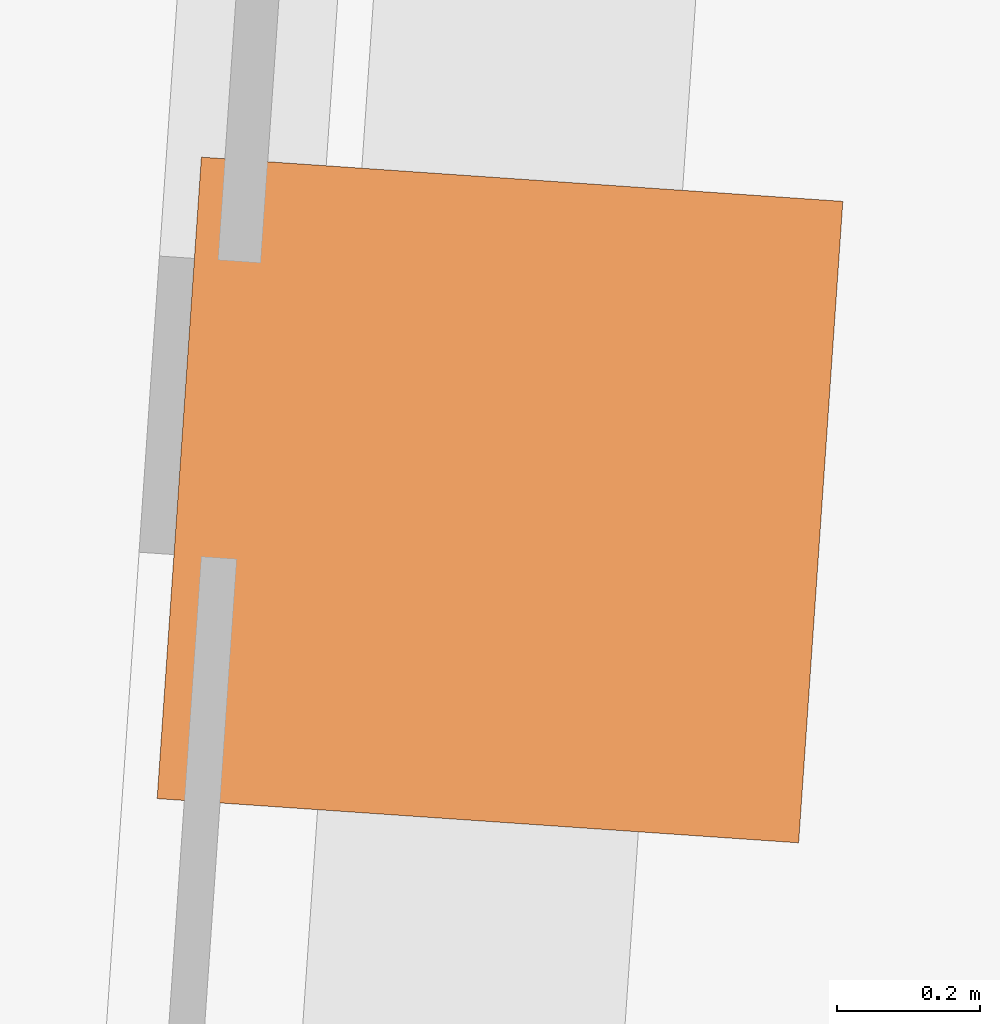
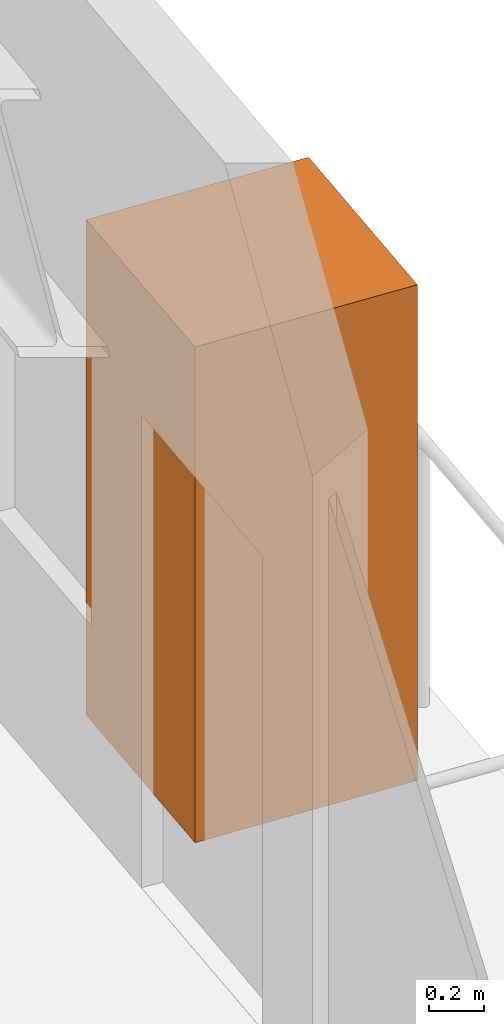
# One storey, part 12 of 12: 1 geographic element.
"""IFC4 building model written with IfcOpenShell, lengths in metres."""

import ifcopenshell
import ifcopenshell.guid

model = None  # the IFC model being written
_history = None  # IfcOwnerHistory: only IFC2X3 demands one
_inside = {}  # id of a spatial element -> (the spatial element, [elements in it])
_under = {}  # id of a project, library or spatial element -> (it, [spatial elements below it])
_declared = {}  # id of a project -> (the project, [libraries it declares])
_typed = {}  # id of a type object -> (the type object, [elements of that type])
_made_of = {}  # id of a material, layer set ... -> (it, [elements and type objects made of it])


def new_model(schema):
    """Start an empty IFC model of exactly this schema.

    Asked for "IFC4X3", IfcOpenShell would pick the latest addendum, in which some entities
    have other attributes; the version numbers below select the first issue.
    IFC2X3 requires an IfcOwnerHistory on every rooted entity: one is made here for all.
    """
    global model, _history
    if schema == "IFC4X3":
        model = ifcopenshell.file(schema_version=(4, 3, 0, 0))
    else:
        model = ifcopenshell.file(schema=schema)
    _inside.clear()
    _under.clear()
    _declared.clear()
    _typed.clear()
    _made_of.clear()
    _history = None
    if model.schema == "IFC2X3":
        org = make("IfcOrganization", Name="unknown")
        user = make(
            "IfcPersonAndOrganization",
            ThePerson=make("IfcPerson", FamilyName="unknown"),
            TheOrganization=org,
        )
        app = make(
            "IfcApplication",
            ApplicationDeveloper=org,
            Version="unknown",
            ApplicationFullName="unknown",
            ApplicationIdentifier="unknown",
        )
        _history = make(
            "IfcOwnerHistory",
            OwningUser=user,
            OwningApplication=app,
            ChangeAction="ADDED",
            CreationDate=0,
        )
    return model


def make(cls, **values):
    """One entity of the class cls with the attributes given. An attribute that is None is left unset."""
    return model.create_entity(
        cls, **{name: value for name, value in values.items() if value is not None}
    )


def rooted(cls, **values):
    """An entity with a GlobalId (a new one), such as an element, a storey or a relation."""
    return make(cls, GlobalId=ifcopenshell.guid.new(), OwnerHistory=_history, **values)


def si_unit(unit_type, name, prefix=None):
    """IfcSIUnit, for example si_unit("LENGTHUNIT", "METRE", prefix="MILLI")."""
    return make("IfcSIUnit", UnitType=unit_type, Prefix=prefix, Name=name)


def assignment(units):
    """IfcUnitAssignment: the units of a project."""
    return None if units is None else make("IfcUnitAssignment", Units=units)


def point(xyz):
    """IfcCartesianPoint."""
    return None if xyz is None else make("IfcCartesianPoint", Coordinates=xyz)


def direction(xyz):
    """IfcDirection."""
    return None if xyz is None else make("IfcDirection", DirectionRatios=xyz)


def frame(location, z_axis=None, x_axis=None):
    """IfcAxis2Placement3D, a coordinate frame: its origin and axes. An axis left out is left unset."""
    return make(
        "IfcAxis2Placement3D",
        Location=point(location),
        Axis=direction(z_axis),
        RefDirection=direction(x_axis),
    )


def frame_2d(location, x_axis=None):
    """IfcAxis2Placement2D, a coordinate frame in the plane: its origin and x axis."""
    return make(
        "IfcAxis2Placement2D", Location=point(location), RefDirection=direction(x_axis)
    )


def origin():
    """The frame at (0, 0, 0) with its axes left unset."""
    return frame((0.0, 0.0, 0.0))


def origin_2d():
    """The frame at (0, 0) in the plane with its x axis left unset."""
    return frame_2d((0.0, 0.0))


def place(relative_to, where):
    """IfcLocalPlacement: puts the frame where relative to a parent placement (None: the world)."""
    return make(
        "IfcLocalPlacement", PlacementRelTo=relative_to, RelativePlacement=where
    )


def context(
    kind, dimensions, precision=None, world=None, true_north=None, identifier=None
):
    """IfcGeometricRepresentationContext, for example the 3D "Model" context."""
    return make(
        "IfcGeometricRepresentationContext",
        ContextIdentifier=identifier,
        ContextType=kind,
        CoordinateSpaceDimension=dimensions,
        Precision=precision,
        WorldCoordinateSystem=world,
        TrueNorth=true_north,
    )


def subcontext(parent, identifier, kind, view, scale=None):
    """IfcGeometricRepresentationSubContext, for example "Body" below "Model"."""
    return make(
        "IfcGeometricRepresentationSubContext",
        ContextIdentifier=identifier,
        ContextType=kind,
        ParentContext=parent,
        TargetScale=scale,
        TargetView=view,
    )


def project(units=None, contexts=None):
    """IfcProject with its units and contexts."""
    return rooted(
        "IfcProject",
        Name="project",
        RepresentationContexts=contexts,
        UnitsInContext=assignment(units),
    )


def spatial(cls, under=None, at=None, **own):
    """A site, building, storey or space (cls), placed at a placement, below another one or the project."""
    s = rooted(cls, ObjectPlacement=at, **own)
    if under is not None:
        _under.setdefault(under.id(), (under, []))[1].append(s)
    return s


def profile(cls, at=None, kind="AREA", **sizes):
    """A parametric profile (cls). Its sizes go by their IFC names, for example OverallWidth=200.0."""
    return make(cls, ProfileType=kind, Position=at, **sizes)


def rectangle(**sizes):
    """IfcRectangleProfileDef."""
    return profile("IfcRectangleProfileDef", **sizes)


def extrude(swept, where, along, depth):
    """IfcExtrudedAreaSolid: the profile swept, set in the frame where, extruded along a direction by depth."""
    return make(
        "IfcExtrudedAreaSolid",
        SweptArea=swept,
        Position=where,
        ExtrudedDirection=direction(along),
        Depth=depth,
    )


def shape(context_of_items, identifier, shape_type, items):
    """IfcShapeRepresentation: the items that make up one representation, for example the "Body"."""
    return make(
        "IfcShapeRepresentation",
        ContextOfItems=context_of_items,
        RepresentationIdentifier=identifier,
        RepresentationType=shape_type,
        Items=items,
    )


def material(Name=None, Category=None):
    """IfcMaterial."""
    return make("IfcMaterial", Name=Name, Category=Category)


def made_of(thing, what):
    """Note that an element or type object is made of a material, layer set ...; save() writes the relation."""
    if what is not None:
        _made_of.setdefault(what.id(), (what, []))[1].append(thing)
    return thing


def type_object(cls, material=None, **own):
    """A type object (cls), such as IfcWallType, which elements share."""
    return made_of(rooted(cls, **own), material)


def element(
    cls,
    number,
    at=None,
    inside=None,
    cuts=None,
    type_object=None,
    material=None,
    context=None,
    identifier="Body",
    shape_type=None,
    held_by="IfcProductDefinitionShape",
    body=None,
    shapes=None,
    **own,
):
    """One element of the class cls, such as IfcWall. Its Tag is "e" and its number.

    at: its placement. inside: the storey or other place that contains it. cuts: it is an
    opening in that element (IfcRelVoidsElement). A single representation is given by context,
    identifier, shape_type and body (its items); several are given by shapes. held_by: the class
    of the entity that holds the representations. save() writes the other relations.
    """
    e = rooted(cls, Tag="e%d" % number, ObjectPlacement=at, **own)
    if body is not None:
        shapes = [shape(context, identifier, shape_type, body)]
    if shapes is not None:
        e.Representation = make(held_by, Representations=shapes)
    if inside is not None:
        _inside.setdefault(inside.id(), (inside, []))[1].append(e)
    if cuts is not None:
        rooted(
            "IfcRelVoidsElement", RelatingBuildingElement=cuts, RelatedOpeningElement=e
        )
    if type_object is not None:
        _typed.setdefault(type_object.id(), (type_object, []))[1].append(e)
    return made_of(e, material)


def aggregate(whole, parts):
    """IfcRelAggregates: a whole, such as a stair, and the parts it consists of."""
    return rooted("IfcRelAggregates", RelatingObject=whole, RelatedObjects=parts)


def save(model, path):
    """Write the relations noted so far, then the file.

    IfcRelAggregates (storeys below a building ...), IfcRelContainedInSpatialStructure (elements
    in a storey), IfcRelDefinesByType, IfcRelAssociatesMaterial and IfcRelDeclares: one each for
    every whole, place, type object, material and project.
    """
    for whole, parts in _under.values():
        aggregate(whole, parts)
    for where, things in _inside.values():
        rooted(
            "IfcRelContainedInSpatialStructure",
            RelatedElements=things,
            RelatingStructure=where,
        )
    for kind, things in _typed.values():
        rooted("IfcRelDefinesByType", RelatedObjects=things, RelatingType=kind)
    for what, things in _made_of.values():
        rooted("IfcRelAssociatesMaterial", RelatedObjects=things, RelatingMaterial=what)
    for by, libraries in _declared.values():
        rooted("IfcRelDeclares", RelatingContext=by, RelatedDefinitions=libraries)
    model.write(path)


model = new_model("IFC4")

# Units and contexts
model_context = context("Model", 3, precision=1e-05, world=origin(), true_north=direction((0.0, 1.0)))
body_context = subcontext(model_context, "Body", "Model", "MODEL_VIEW")
ifc_project = project(units=[si_unit("LENGTHUNIT", "METRE"), si_unit("AREAUNIT", "SQUARE_METRE"), si_unit("VOLUMEUNIT", "CUBIC_METRE"), si_unit("PLANEANGLEUNIT", "RADIAN"), si_unit("MASSUNIT", "GRAM", prefix="KILO")], contexts=[model_context])

# Site, building, storey
site_placement = place(None, origin())
site = spatial("IfcSite", under=ifc_project, at=site_placement, CompositionType="ELEMENT")
building_placement = place(site_placement, origin())
building = spatial("IfcBuilding", under=site, at=building_placement, Name="Verdant Reach Tower", CompositionType="ELEMENT")
storey_placement = place(building_placement, frame((0.0, 0.0, 266.0)))
storey = spatial("IfcBuildingStorey", under=building, at=storey_placement, Name="L61", CompositionType="ELEMENT", Elevation=266.0)

# Geographic element
ifc_material = material(Name="Planting")
geographic_element_type = type_object("IfcGeographicElementType", Name="EN-TREE", PredefinedType="USERDEFINED", material=ifc_material)
geographic_element_placement = place(storey_placement, frame((24.17626953125, 58.304931640625, 0.39990234375), z_axis=(0.0, 0.0, 1.0), x_axis=(0.068802091615, 0.997630328423, 0.0)))
element("IfcGeographicElement", 1, at=geographic_element_placement, inside=storey, type_object=geographic_element_type, Name="Balcony tree, Yellow trumpet tree (Handroanthus albus), L61 1", ObjectType="TREE", PredefinedType="USERDEFINED", context=body_context, shape_type="SweptSolid", body=[
    extrude(rectangle(XDim=0.89990234375, YDim=0.89990234375, at=origin_2d()), origin(), (0.0, 0.0, 1.0), 2.199951171875),
])

save(model, "model.ifc")
